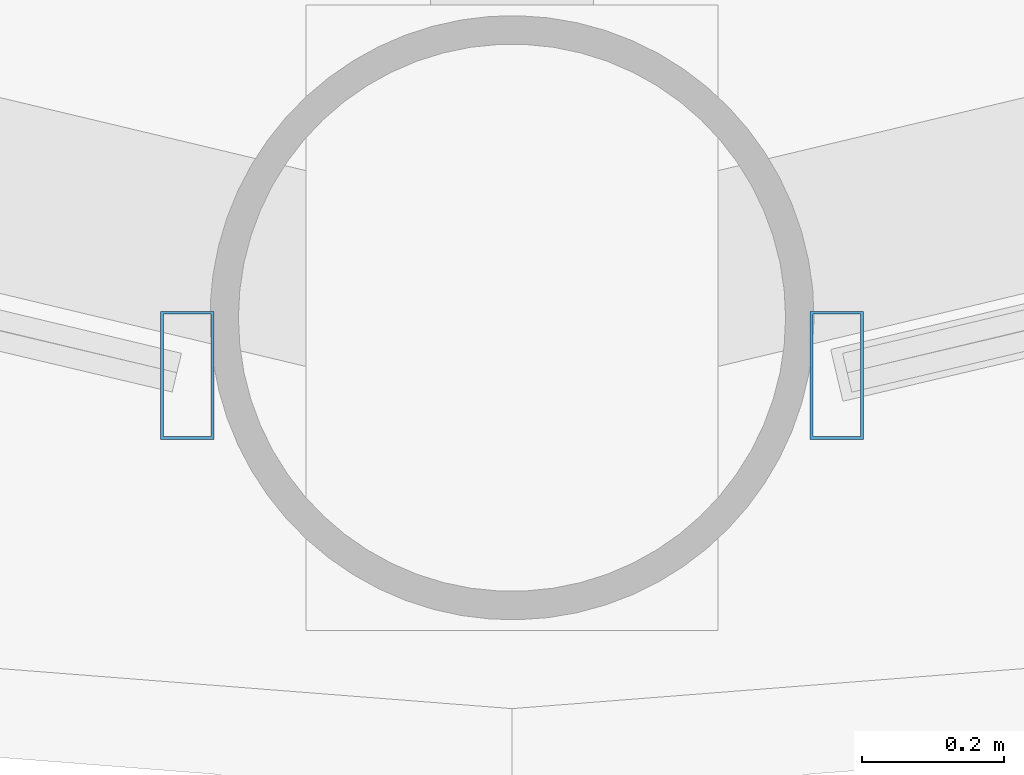
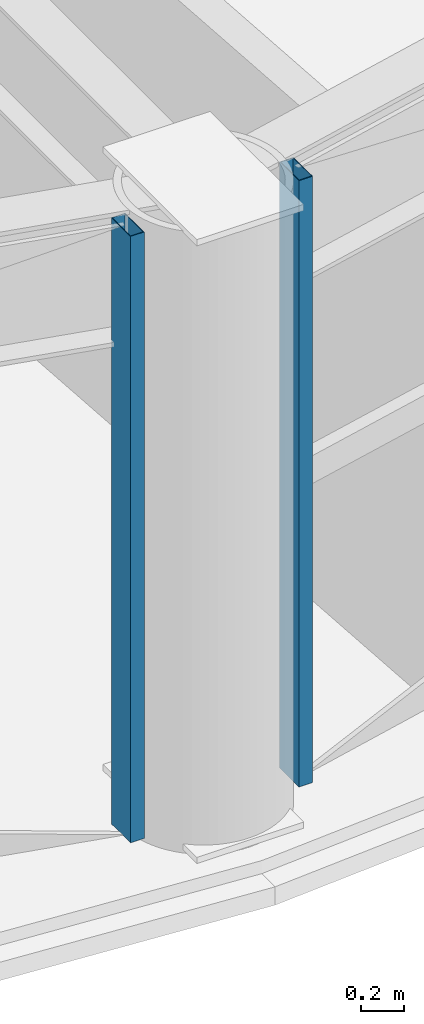
# One storey, part 4 of 33: 2 members, 2 elements without a shape of their own.
"""IFC4 building model written with IfcOpenShell, lengths in metres."""

from ifc_helpers import new_model, si_unit, direction, frame, origin, origin_2d, place, context, subcontext, project, spatial, hollow_rectangle, extrude, material, layer, layer_set, material_profile, profile_set, type_object, element, aggregate, save


model = new_model("IFC4")

# Units and contexts
model_context = context("Model", 3, precision=1e-05, world=origin(), true_north=direction((0.0, 1.0)))
body_context = subcontext(model_context, "Body", "Model", "MODEL_VIEW")
ifc_project = project(units=[si_unit("LENGTHUNIT", "METRE"), si_unit("AREAUNIT", "SQUARE_METRE"), si_unit("VOLUMEUNIT", "CUBIC_METRE"), si_unit("PLANEANGLEUNIT", "RADIAN"), si_unit("MASSUNIT", "GRAM", prefix="KILO")], contexts=[model_context])

# Site, building, storey
site_placement = place(None, origin())
site = spatial("IfcSite", under=ifc_project, at=site_placement, CompositionType="ELEMENT")
building_placement = place(site_placement, origin())
building = spatial("IfcBuilding", under=site, at=building_placement, Name="Vantalir Tower", CompositionType="ELEMENT")
storey_placement = place(building_placement, frame((0.0, 0.0, 68.25)))
storey = spatial("IfcBuildingStorey", under=building, at=storey_placement, Name="L16", CompositionType="ELEMENT", Elevation=68.25)

# Curtain wall, member
ifc_material_1 = material(Name="Champagne-silver PVDF aluminium and double-silver Low-E glass", Category="aluminium")
ifc_layer = layer(ifc_material_1, 0.18994140625)
ifc_layer_set = layer_set([ifc_layer], Name="Champagne-silver PVDF aluminium and double-silver Low-E glass")
curtain_wall_type = type_object("IfcCurtainWallType", Name="CW-DIAMOND-Z1", PredefinedType="USERDEFINED", material=ifc_layer_set)
curtain_wall_1_placement = place(storey_placement, origin())
curtain_wall_1 = element("IfcCurtainWall", 1, at=curtain_wall_1_placement, inside=storey, type_object=curtain_wall_type, Name="L16 Quilted Pyramid-Diamond Curtain Wall S09", ObjectType="UNITISED CURTAIN WALL", PredefinedType="USERDEFINED")
ifc_material_2 = material(Name="Champagne-silver PVDF aluminium 6063-T6", Category="aluminium")
ifc_material_profile = material_profile(ifc_material_2, hollow_rectangle(XDim=0.074951171875, YDim=0.179931640625, WallThickness=0.00390625, at=origin_2d()), Name="Champagne-silver PVDF aluminium 6063-T6")
ifc_profile_set = profile_set([ifc_material_profile], Name="Champagne-silver PVDF aluminium 6063-T6")
member_type = type_object("IfcMemberType", Name="CWM-180x75", PredefinedType="MULLION", material=ifc_profile_set)
member_1_placement = place(storey_placement, frame((31.04296875, 0.2900390625, 0.044921875), z_axis=(0.0, 0.0, 1.0), x_axis=(1.0, 0.0, 0.0)))
member_1 = element("IfcMember", 2, at=member_1_placement, type_object=member_type, Name="CW-L16-S09 Mullion 2", PredefinedType="MULLION", context=body_context, shape_type="SweptSolid", body=[
    extrude(hollow_rectangle(XDim=0.074951171875, YDim=0.179931640625, WallThickness=0.00390625, at=origin_2d()), origin(), (0.0, 0.0, 1.0), 3.47998046875),
])
aggregate(curtain_wall_1, [member_1])

curtain_wall_2_placement = place(storey_placement, origin())
curtain_wall_2 = element("IfcCurtainWall", 3, at=curtain_wall_2_placement, inside=storey, type_object=curtain_wall_type, Name="L16 Quilted Pyramid-Diamond Curtain Wall S10", ObjectType="UNITISED CURTAIN WALL", PredefinedType="USERDEFINED")
member_2_placement = place(storey_placement, frame((31.95703125, 0.2900390625, 0.044921875), z_axis=(0.0, 0.0, 1.0), x_axis=(1.0, 0.0, 0.0)))
member_2 = element("IfcMember", 4, at=member_2_placement, type_object=member_type, Name="CW-L16-S10 Mullion 1", PredefinedType="MULLION", context=body_context, shape_type="SweptSolid", body=[
    extrude(hollow_rectangle(XDim=0.074951171875, YDim=0.179931640625, WallThickness=0.00390625, at=origin_2d()), origin(), (0.0, 0.0, 1.0), 3.47998046875),
])
aggregate(curtain_wall_2, [member_2])

save(model, "model.ifc")
